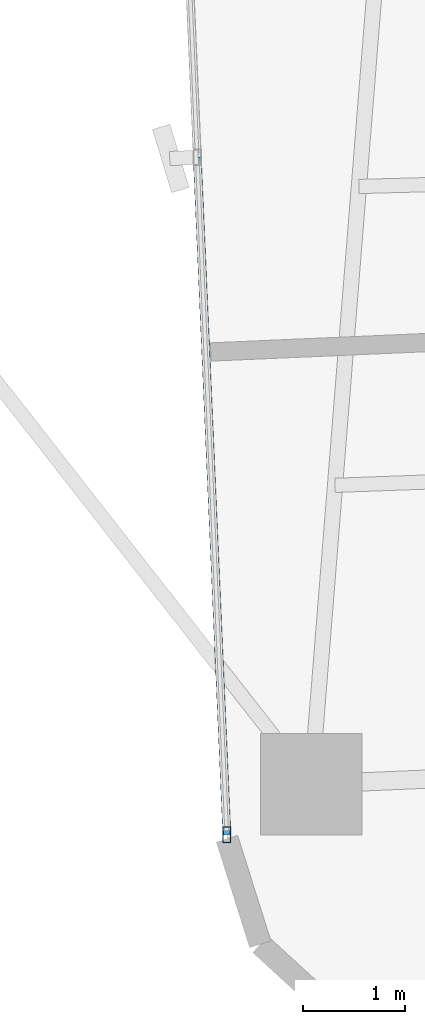
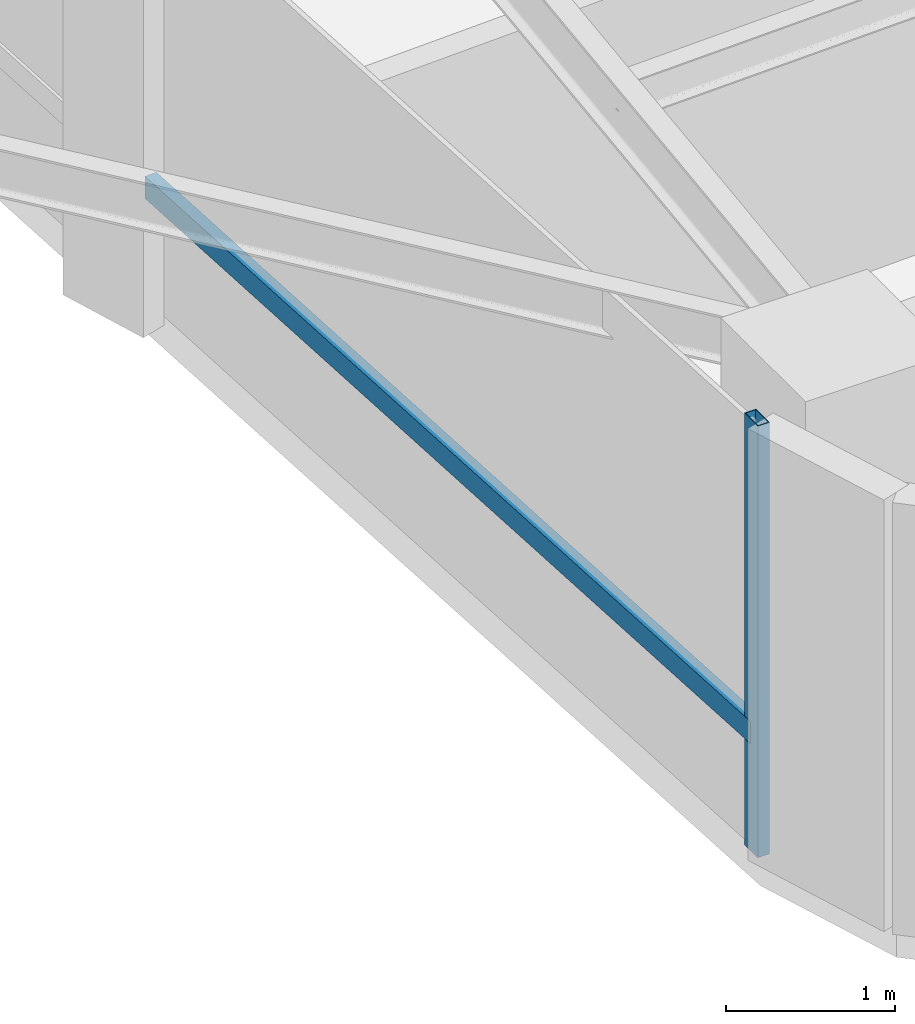
# One storey, part 2 of 26: 2 members, 1 element without a shape of its own.
"""IFC4 building model written with IfcOpenShell, lengths in metres."""

from ifc_helpers import new_model, si_unit, direction, frame, origin, origin_2d, place, context, subcontext, project, spatial, hollow_rectangle, extrude, source, transform, mapped, material, material_profile, profile_set, type_object, element, aggregate, save


model = new_model("IFC4")

# Units and contexts
model_context = context("Model", 3, precision=1e-05, world=origin(), true_north=direction((0.0, 1.0)))
body_context = subcontext(model_context, "Body", "Model", "MODEL_VIEW")
ifc_project = project(units=[si_unit("LENGTHUNIT", "METRE"), si_unit("AREAUNIT", "SQUARE_METRE"), si_unit("VOLUMEUNIT", "CUBIC_METRE"), si_unit("PLANEANGLEUNIT", "RADIAN"), si_unit("MASSUNIT", "GRAM", prefix="KILO")], contexts=[model_context])

# Site, building, storey
site_placement = place(None, origin())
site = spatial("IfcSite", under=ifc_project, at=site_placement, CompositionType="ELEMENT")
building_placement = place(site_placement, origin())
building = spatial("IfcBuilding", under=site, at=building_placement, Name="Sahyath Konkavel Grand Hotel", CompositionType="ELEMENT")
storey_placement = place(building_placement, frame((0.0, 0.0, 121.5)))
storey = spatial("IfcBuildingStorey", under=building, at=storey_placement, Name="L33", CompositionType="ELEMENT", Elevation=121.5)

# Curtain wall, members
ifc_material_1 = material(Name="Anodised Bronze Aluminium & Low-E Glazing", Category="aluminium")
curtain_wall_type = type_object("IfcCurtainWallType", Name="CW-ZONE2", PredefinedType="NOTDEFINED", material=ifc_material_1)
curtain_wall_placement = place(storey_placement, origin())
curtain_wall = element("IfcCurtainWall", 1, at=curtain_wall_placement, inside=storey, type_object=curtain_wall_type, Name="L33 Unitised Curtain Wall F24", PredefinedType="NOTDEFINED")
ifc_material_2 = material(Name="Anodised Bronze Aluminium", Category="aluminium")
ifc_material_profile_1 = material_profile(ifc_material_2, hollow_rectangle(XDim=0.080078125, YDim=0.159912109375, WallThickness=0.006103515625, at=origin_2d()), Name="RHS 160x80x6")
ifc_profile_set_1 = profile_set([ifc_material_profile_1], Name="Anodised Bronze Aluminium")
member_type_1 = type_object("IfcMemberType", Name="CW-MUL-160", PredefinedType="MULLION", material=ifc_profile_set_1)
shared_shape_1 = source(origin(), body_context, "Body", "SweptSolid", [
    extrude(hollow_rectangle(XDim=0.080078125, YDim=0.159912109375, WallThickness=0.006103515625, at=origin_2d()), origin(), (0.0, 0.0, 1.0), 3.110107421875),
])
member_1_placement = place(storey_placement, frame((-5.605224609375, -22.92626953125, 0.0), z_axis=(0.0, 0.0, 1.0), x_axis=(1.0, 0.0, 0.0)))
member_1 = element("IfcMember", 2, at=member_1_placement, type_object=member_type_1, Name="L33 Curtain Wall Mullion F24-2", PredefinedType="MULLION", context=body_context, shape_type="MappedRepresentation", body=[
    mapped(shared_shape_1, transform((0.0, 0.0, 0.0), scale=1.0)),
])
ifc_material_profile_2 = material_profile(ifc_material_2, hollow_rectangle(XDim=0.080078125, YDim=0.159912109375, WallThickness=0.006103515625, at=origin_2d()), Name="RHS 160x80x6")
ifc_profile_set_2 = profile_set([ifc_material_profile_2], Name="Anodised Bronze Aluminium")
member_type_2 = type_object("IfcMemberType", Name="CW-TRN-160", PredefinedType="USERDEFINED", material=ifc_profile_set_2)
shared_shape_2 = source(origin(), body_context, "Body", "SweptSolid", [
    extrude(hollow_rectangle(XDim=0.080078125, YDim=0.159912109375, WallThickness=0.006103515625, at=origin_2d()), origin(), (0.0, 0.0, 1.0), 6.659912109375),
])
member_2_placement = place(storey_placement, frame((-5.895751953125, -16.272705078125, 0.85009765625), z_axis=(0.043623350741, -0.999048048529, 0.0), x_axis=(0.999048048529, 0.043623350741, 0.0)))
member_2 = element("IfcMember", 3, at=member_2_placement, type_object=member_type_2, Name="L33 Curtain Wall Transom F24-1-spandrel", ObjectType="TRANSOM", PredefinedType="USERDEFINED", context=body_context, shape_type="MappedRepresentation", body=[
    mapped(shared_shape_2, transform((0.0, 0.0, 0.0), scale=1.0)),
])
aggregate(curtain_wall, [member_1, member_2])

save(model, "model.ifc")
